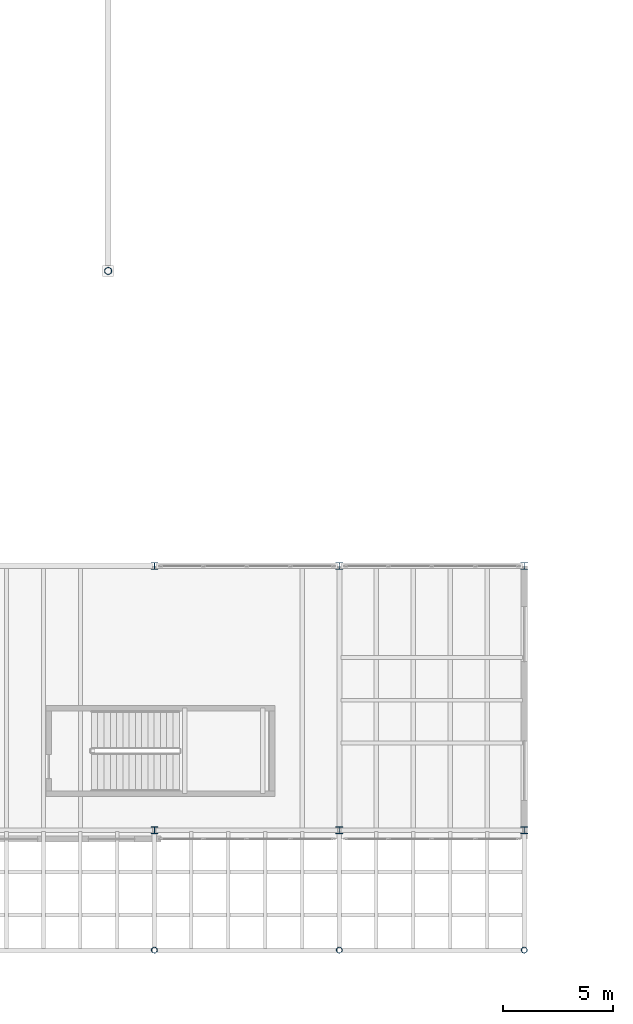
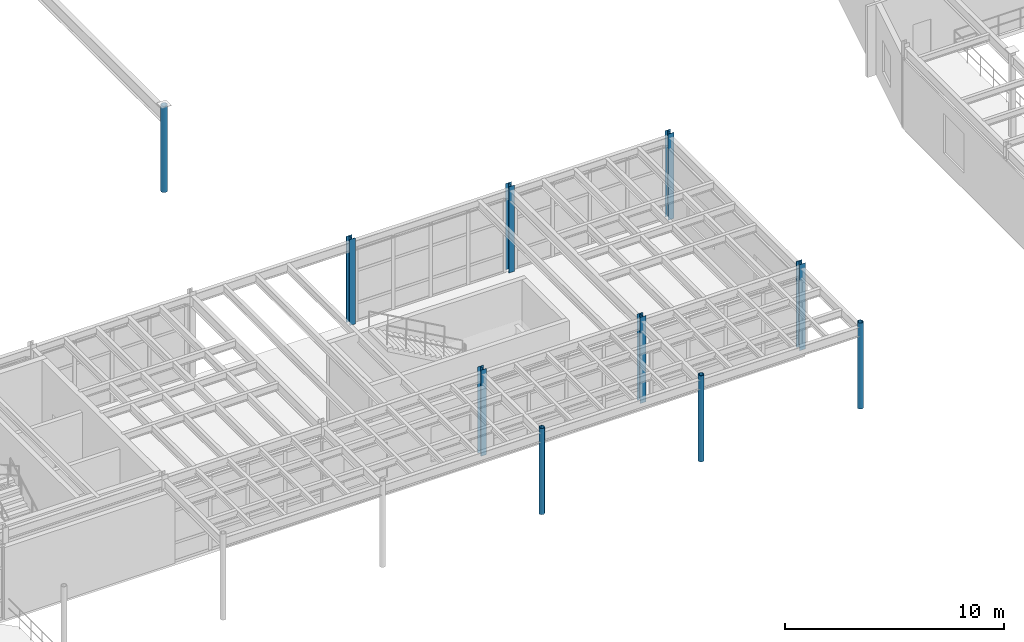
# One storey, part 8 of 116: 10 columns.
"""IFC4 building model written with IfcOpenShell, lengths in metres."""

from ifc_helpers import new_model, si_unit, direction, frame, origin, origin_2d, place, context, subcontext, project, spatial, hollow_circle, i_section, extrude, material, material_profile, profile_set, type_object, element, save


model = new_model("IFC4")

# Units and contexts
model_context = context("Model", 3, precision=1e-05, world=origin(), true_north=direction((0.0, 1.0)))
body_context = subcontext(model_context, "Body", "Model", "MODEL_VIEW")
ifc_project = project(units=[si_unit("LENGTHUNIT", "METRE"), si_unit("AREAUNIT", "SQUARE_METRE"), si_unit("VOLUMEUNIT", "CUBIC_METRE"), si_unit("PLANEANGLEUNIT", "RADIAN"), si_unit("MASSUNIT", "GRAM", prefix="KILO")], contexts=[model_context])

# Site, building, storey
site_placement = place(None, origin())
site = spatial("IfcSite", under=ifc_project, at=site_placement, CompositionType="ELEMENT")
building_placement = place(site_placement, origin())
building = spatial("IfcBuilding", under=site, at=building_placement, Name="Selat Folded Stagehouse", CompositionType="ELEMENT")
storey_placement = place(building_placement, frame((0.0, 0.0, 5.39990234375)))
storey = spatial("IfcBuildingStorey", under=building, at=storey_placement, Name="L01", CompositionType="ELEMENT", Elevation=5.39990234375)

# Columns
ifc_material = material(Name="Steel S355", Category="steel")
ifc_material_profile_1 = material_profile(ifc_material, hollow_circle(Radius=0.136474609375, WallThickness=0.012451171875, at=origin_2d()), Name="CHS 273.0x12.5")
ifc_profile_set_1 = profile_set([ifc_material_profile_1], Name="Steel S355")
column_type_1 = type_object("IfcColumnType", Name="COL-CHS-273x12.5", PredefinedType="COLUMN", material=ifc_profile_set_1)
for number, where, z_axis, x_axis, name in (
    (1, (100.800048828125, 0.35009765625, 0.0), (0.0, 0.0, 1.0), (1.0, 0.0, 0.0), "L01 column STK-COLPOST-100"),
    (2, (109.199951171875, 0.35009765625, 0.0), (0.0, 0.0, 1.0), (1.0, 0.0, 0.0), "L01 column STK-COLPOST-109"),
    (3, (117.60009765625, 0.35009765625, 0.0), (0.0, 0.0, 1.0), (1.0, 0.0, 0.0), "L01 column STK-COLPOST-117"),
):
    element("IfcColumn", number, at=place(storey_placement, frame(where, z_axis=z_axis, x_axis=x_axis)), inside=storey, type_object=column_type_1, Name=name, PredefinedType="COLUMN", context=body_context, shape_type="SweptSolid", body=[
        extrude(hollow_circle(Radius=0.136474609375, WallThickness=0.012451171875, at=origin_2d()), origin(), (0.0, 0.0, 1.0), 4.800048828125),
    ])
ifc_material_profile_2 = material_profile(ifc_material, hollow_circle(Radius=0.161865234375, WallThickness=0.012451171875, at=origin_2d()), Name="CHS 323.9x12.5")
ifc_profile_set_2 = profile_set([ifc_material_profile_2], Name="Steel S355")
column_type_2 = type_object("IfcColumnType", Name="COL-CHS-323x12.5", PredefinedType="COLUMN", material=ifc_profile_set_2)
column_placement = place(storey_placement, frame((98.699951171875, 31.199951171875, 0.0), z_axis=(0.0, 0.0, 1.0), x_axis=(1.0, 0.0, 0.0)))
element("IfcColumn", 4, at=column_placement, inside=storey, type_object=column_type_2, Name="L01 column STK-BR2-312", PredefinedType="COLUMN", context=body_context, shape_type="SweptSolid", body=[
    extrude(hollow_circle(Radius=0.161865234375, WallThickness=0.012451171875, at=origin_2d()), origin(), (0.0, 0.0, 1.0), 4.800048828125),
])
ifc_material_profile_3 = material_profile(ifc_material, i_section(OverallWidth=0.305419921875, OverallDepth=0.307861328125, WebThickness=0.010009765625, FlangeThickness=0.015380859375, FilletRadius=0.01513671875, at=origin_2d()), Name="UKC 305x305x97")
ifc_profile_set_3 = profile_set([ifc_material_profile_3], Name="Steel S355")
column_type_3 = type_object("IfcColumnType", Name="COL-UKC-305x305x97", PredefinedType="COLUMN", material=ifc_profile_set_3)
for number, where, z_axis, x_axis, name in (
    (5, (100.800048828125, 5.800048828125, 0.0), (0.0, 0.0, 1.0), (1.0, 0.0, 0.0), "L01 column STK-V5-100-58"),
    (6, (100.800048828125, 17.800048828125, 0.0), (0.0, 0.0, 1.0), (1.0, 0.0, 0.0), "L01 column STK-V5-100-178"),
    (7, (109.199951171875, 5.800048828125, 0.0), (0.0, 0.0, 1.0), (1.0, 0.0, 0.0), "L01 column STK-V5-109-58"),
    (8, (109.199951171875, 17.800048828125, 0.0), (0.0, 0.0, 1.0), (1.0, 0.0, 0.0), "L01 column STK-V5-109-178"),
    (9, (117.60009765625, 5.800048828125, 0.0), (0.0, 0.0, 1.0), (1.0, 0.0, 0.0), "L01 column STK-V5-117-58"),
    (10, (117.60009765625, 17.800048828125, 0.0), (0.0, 0.0, 1.0), (1.0, 0.0, 0.0), "L01 column STK-V5-117-178"),
):
    element("IfcColumn", number, at=place(storey_placement, frame(where, z_axis=z_axis, x_axis=x_axis)), inside=storey, type_object=column_type_3, Name=name, PredefinedType="COLUMN", context=body_context, shape_type="SweptSolid", body=[
        extrude(i_section(OverallWidth=0.305419921875, OverallDepth=0.307861328125, WebThickness=0.010009765625, FlangeThickness=0.015380859375, FilletRadius=0.01513671875, at=origin_2d()), origin(), (0.0, 0.0, 1.0), 4.800048828125),
    ])

save(model, "model.ifc")
